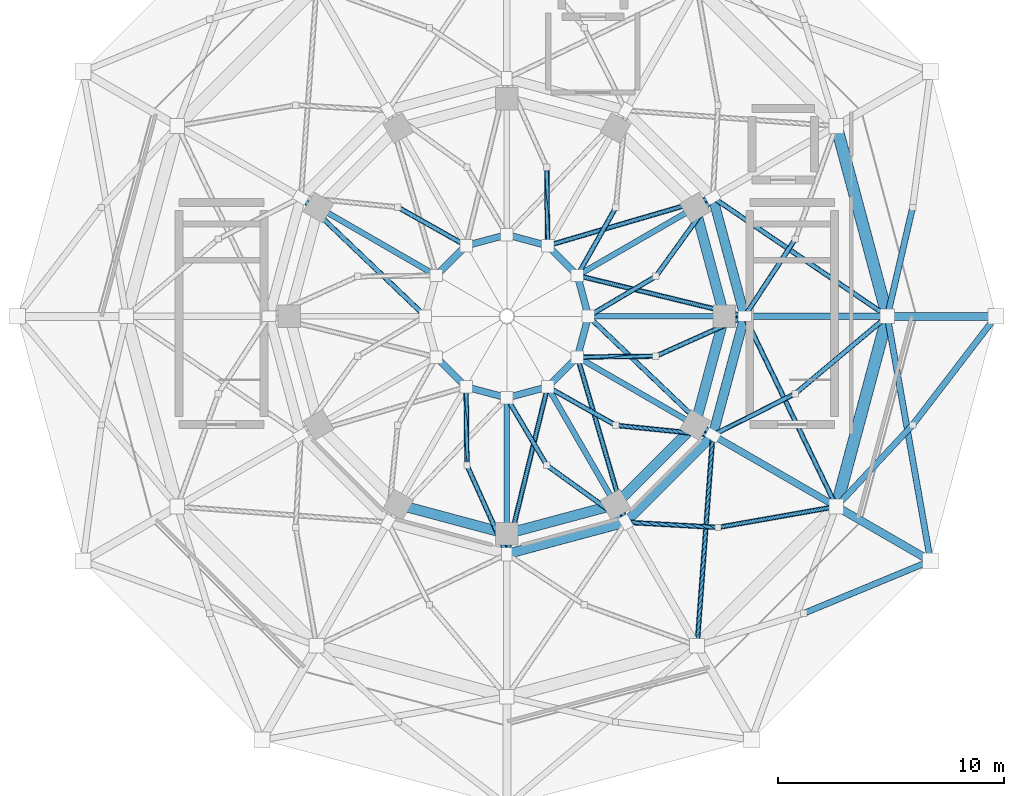
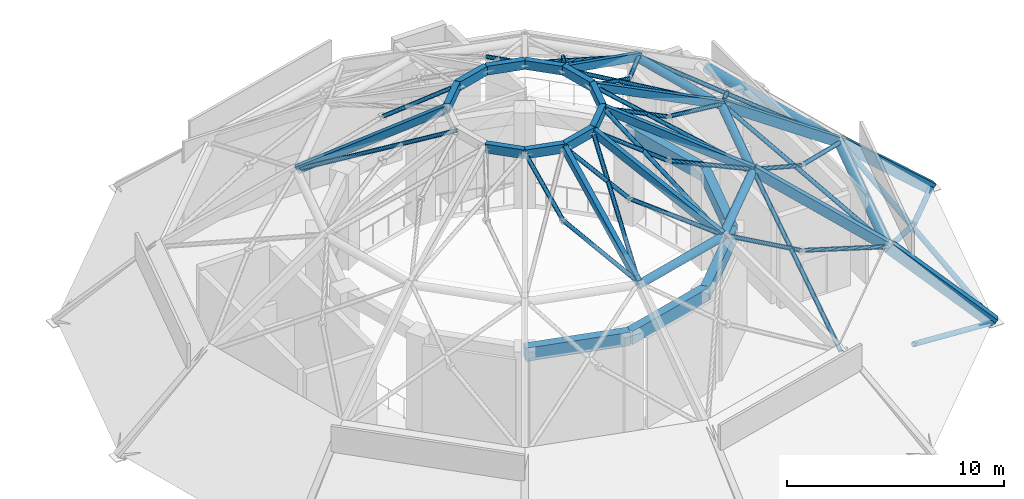
# One storey, part 22 of 32: 48 members, 15 beams.
"""IFC4 building model written with IfcOpenShell, lengths in metres."""

from ifc_helpers import new_model, si_unit, direction, frame, origin, origin_2d, place, context, subcontext, project, spatial, rectangle, hollow_rectangle, hollow_circle, extrude, material, material_profile, profile_set, type_object, element, save


model = new_model("IFC4")

# Units and contexts
model_context = context("Model", 3, precision=1e-05, world=origin(), true_north=direction((0.0, 1.0)))
body_context = subcontext(model_context, "Body", "Model", "MODEL_VIEW")
ifc_project = project(units=[si_unit("LENGTHUNIT", "METRE"), si_unit("AREAUNIT", "SQUARE_METRE"), si_unit("VOLUMEUNIT", "CUBIC_METRE"), si_unit("PLANEANGLEUNIT", "RADIAN"), si_unit("MASSUNIT", "GRAM", prefix="KILO")], contexts=[model_context])

# Site, building, storey
site_placement = place(None, origin())
site = spatial("IfcSite", under=ifc_project, at=site_placement, CompositionType="ELEMENT")
building_placement = place(site_placement, origin())
building = spatial("IfcBuilding", under=site, at=building_placement, Name="Haizhuo Lancet Aquarium", CompositionType="ELEMENT")
storey_placement = place(building_placement, frame((0.0, 0.0, 27.0)))
storey = spatial("IfcBuildingStorey", under=building, at=storey_placement, Name="L05", CompositionType="ELEMENT", Elevation=27.0)

# Beams
ifc_material_1 = material(Name="Steel S355", Category="steel")
ifc_material_profile_1 = material_profile(ifc_material_1, hollow_rectangle(XDim=0.300048828125, YDim=0.5, WallThickness=0.01611328125, at=origin_2d()), Name="RHS 300x500x16")
ifc_profile_set_1 = profile_set([ifc_material_profile_1], Name="Steel S355")
beam_type_1 = type_object("IfcBeamType", Name="BM-CR-RHS300x500", PredefinedType="USERDEFINED", material=ifc_profile_set_1)
beam_1_placement = place(storey_placement, frame((3.60009765625, 0.0, 12.050048828125), z_axis=(-0.258746999554, 0.965945127956, 0.0), x_axis=(-0.965945127956, -0.258746999554, 0.0)))
element("IfcBeam", 1, at=beam_1_placement, inside=storey, type_object=beam_type_1, Name="Ocean Hall dome crown compression ring CR-1 seg 1", ObjectType="RING BEAM", PredefinedType="USERDEFINED", context=body_context, shape_type="SweptSolid", body=[
    extrude(hollow_rectangle(XDim=0.300048828125, YDim=0.5, WallThickness=0.01611328125, at=origin_2d()), origin(), (0.0, 0.0, 1.0), 1.863525390625),
])
beam_2_placement = place(storey_placement, frame((3.117919921875, 1.800048828125, 12.050048828125), z_axis=(-0.707106781187, 0.707106781187, 0.0), x_axis=(-0.707106781187, -0.707106781187, 0.0)))
element("IfcBeam", 2, at=beam_2_placement, inside=storey, type_object=beam_type_1, Name="Ocean Hall dome crown compression ring CR-1 seg 2", ObjectType="RING BEAM", PredefinedType="USERDEFINED", context=body_context, shape_type="SweptSolid", body=[
    extrude(hollow_rectangle(XDim=0.300048828125, YDim=0.5, WallThickness=0.01611328125, at=origin_2d()), origin(), (0.0, 0.0, 1.0), 1.86376953125),
])
for number, where, z_axis, x_axis, name in (
    (3, (1.800048828125, 3.117919921875, 12.050048828125), (-0.965945127956, 0.258746999554, 0.0), (-0.258746999554, -0.965945127956, 0.0), "Ocean Hall dome crown compression ring CR-1 seg 3"),
    (4, (0.0, 3.60009765625, 12.050048828125), (-0.965945127956, -0.258746999554, 0.0), (0.258746999554, -0.965945127956, 0.0), "Ocean Hall dome crown compression ring CR-1 seg 4"),
):
    element("IfcBeam", number, at=place(storey_placement, frame(where, z_axis=z_axis, x_axis=x_axis)), inside=storey, type_object=beam_type_1, Name=name, ObjectType="RING BEAM", PredefinedType="USERDEFINED", context=body_context, shape_type="SweptSolid", body=[
        extrude(hollow_rectangle(XDim=0.300048828125, YDim=0.5, WallThickness=0.01611328125, at=origin_2d()), origin(), (0.0, 0.0, 1.0), 1.863525390625),
    ])
for number, where, z_axis, x_axis, name in (
    (5, (-1.800048828125, 3.117919921875, 12.050048828125), (-0.707106781187, -0.707106781187, 0.0), (0.707106781187, -0.707106781187, 0.0), "Ocean Hall dome crown compression ring CR-1 seg 5"),
    (6, (-3.117919921875, -1.800048828125, 12.050048828125), (0.707106781187, -0.707106781187, 0.0), (0.707106781187, 0.707106781187, 0.0), "Ocean Hall dome crown compression ring CR-1 seg 8"),
):
    element("IfcBeam", number, at=place(storey_placement, frame(where, z_axis=z_axis, x_axis=x_axis)), inside=storey, type_object=beam_type_1, Name=name, ObjectType="RING BEAM", PredefinedType="USERDEFINED", context=body_context, shape_type="SweptSolid", body=[
        extrude(hollow_rectangle(XDim=0.300048828125, YDim=0.5, WallThickness=0.01611328125, at=origin_2d()), origin(), (0.0, 0.0, 1.0), 1.86376953125),
    ])
for number, where, z_axis, x_axis, name in (
    (7, (-1.800048828125, -3.117919921875, 12.050048828125), (0.965945127956, -0.258746999554, 0.0), (0.258746999554, 0.965945127956, 0.0), "Ocean Hall dome crown compression ring CR-1 seg 9"),
    (8, (0.0, -3.60009765625, 12.050048828125), (0.965945127956, 0.258746999554, 0.0), (-0.258746999554, 0.965945127956, 0.0), "Ocean Hall dome crown compression ring CR-1 seg 10"),
):
    element("IfcBeam", number, at=place(storey_placement, frame(where, z_axis=z_axis, x_axis=x_axis)), inside=storey, type_object=beam_type_1, Name=name, ObjectType="RING BEAM", PredefinedType="USERDEFINED", context=body_context, shape_type="SweptSolid", body=[
        extrude(hollow_rectangle(XDim=0.300048828125, YDim=0.5, WallThickness=0.01611328125, at=origin_2d()), origin(), (0.0, 0.0, 1.0), 1.863525390625),
    ])
beam_3_placement = place(storey_placement, frame((1.800048828125, -3.117919921875, 12.050048828125), z_axis=(0.707106781187, 0.707106781187, 0.0), x_axis=(-0.707106781187, 0.707106781187, 0.0)))
element("IfcBeam", 9, at=beam_3_placement, inside=storey, type_object=beam_type_1, Name="Ocean Hall dome crown compression ring CR-1 seg 11", ObjectType="RING BEAM", PredefinedType="USERDEFINED", context=body_context, shape_type="SweptSolid", body=[
    extrude(hollow_rectangle(XDim=0.300048828125, YDim=0.5, WallThickness=0.01611328125, at=origin_2d()), origin(), (0.0, 0.0, 1.0), 1.86376953125),
])
beam_4_placement = place(storey_placement, frame((3.117919921875, -1.800048828125, 12.050048828125), z_axis=(0.258746999554, 0.965945127956, 0.0), x_axis=(-0.965945127956, 0.258746999554, 0.0)))
element("IfcBeam", 10, at=beam_4_placement, inside=storey, type_object=beam_type_1, Name="Ocean Hall dome crown compression ring CR-1 seg 12", ObjectType="RING BEAM", PredefinedType="USERDEFINED", context=body_context, shape_type="SweptSolid", body=[
    extrude(hollow_rectangle(XDim=0.300048828125, YDim=0.5, WallThickness=0.01611328125, at=origin_2d()), origin(), (0.0, 0.0, 1.0), 1.863525390625),
])
ifc_material_2 = material(Name="Concrete C40/50", Category="concrete")
ifc_material_profile_2 = material_profile(ifc_material_2, rectangle(XDim=0.449951171875, YDim=0.75, at=origin_2d()), Name="RC-BM 450x750")
ifc_profile_set_2 = profile_set([ifc_material_profile_2], Name="Concrete C40/50")
beam_type_2 = type_object("IfcBeamType", Name="BM-RC-450x750", PredefinedType="BEAM", material=ifc_profile_set_2)
for number, where, z_axis, x_axis, name in (
    (11, (9.60009765625, 0.0, 5.02490234375), (-0.258812211902, 0.965927657214, 0.0), (-0.965927657214, -0.258812211902, 0.0), "L05 inner observation ring beam 1"),
    (12, (-4.800048828125, -8.31396484375, 5.02490234375), (0.965927657214, -0.258812211902, 0.0), (0.258812211902, 0.965927657214, 0.0), "L05 inner observation ring beam 9"),
    (13, (0.0, -9.60009765625, 5.02490234375), (0.965927657214, 0.258812211902, 0.0), (-0.258812211902, 0.965927657214, 0.0), "L05 inner observation ring beam 10"),
    (14, (4.800048828125, -8.31396484375, 5.02490234375), (0.707106781187, 0.707106781187, 0.0), (-0.707106781187, 0.707106781187, 0.0), "L05 inner observation ring beam 11"),
    (15, (8.31396484375, -4.800048828125, 5.02490234375), (0.258812211902, 0.965927657214, 0.0), (-0.965927657214, 0.258812211902, 0.0), "L05 inner observation ring beam 12"),
):
    element("IfcBeam", number, at=place(storey_placement, frame(where, z_axis=z_axis, x_axis=x_axis)), inside=storey, type_object=beam_type_2, Name=name, PredefinedType="BEAM", context=body_context, shape_type="SweptSolid", body=[
        extrude(rectangle(XDim=0.449951171875, YDim=0.75, at=origin_2d()), origin(), (0.0, 0.0, 1.0), 4.969482421875),
    ])

# Members
ifc_material_profile_3 = material_profile(ifc_material_1, hollow_circle(Radius=0.109619140625, WallThickness=0.010009765625, at=origin_2d()), Name="CHS 219x10")
ifc_profile_set_3 = profile_set([ifc_material_profile_3], Name="Steel S355")
member_type_1 = type_object("IfcMemberType", Name="MEM-DB-CHS219", PredefinedType="BRACE", material=ifc_profile_set_3)
member_1_placement = place(storey_placement, frame((16.800048828125, 0.0, 4.25), z_axis=(-0.748982344734, 0.510203888152, 0.422749854868), x_axis=(-0.562985829353, -0.826466548596, 0.0)))
element("IfcMember", 16, at=member_1_placement, inside=storey, type_object=member_type_1, Name="Ocean Hall dome continuous diagonal brace A tier 2 bay 1", PredefinedType="BRACE", context=body_context, shape_type="SweptSolid", body=[
    extrude(hollow_circle(Radius=0.109619140625, WallThickness=0.010009765625, at=origin_2d()), origin(), (0.0, 0.0, 1.0), 10.2900390625),
])
member_2_placement = place(storey_placement, frame((12.736083984375, 3.4130859375, 6.425048828125), z_axis=(-0.483597007113, -0.738146758319, 0.470396957787), x_axis=(0.836469641538, -0.548013265154, 0.0)))
element("IfcMember", 17, at=member_2_placement, inside=storey, type_object=member_type_1, Name="Ocean Hall dome split diagonal brace B2 tier 2 bay 1", PredefinedType="BRACE", context=body_context, shape_type="SweptSolid", body=[
    extrude(hollow_circle(Radius=0.109619140625, WallThickness=0.010009765625, at=origin_2d()), origin(), (0.0, 0.0, 1.0), 4.623779296875),
])
member_3_placement = place(storey_placement, frame((8.39990234375, -14.549072265625, 4.25), z_axis=(0.067360553885, 0.903732348339, 0.422765181094), x_axis=(-0.997233716656, 0.074329767691, 0.0)))
element("IfcMember", 18, at=member_3_placement, inside=storey, type_object=member_type_1, Name="Ocean Hall dome continuous diagonal brace A tier 2 bay 11", PredefinedType="BRACE", context=body_context, shape_type="SweptSolid", body=[
    extrude(hollow_circle(Radius=0.109619140625, WallThickness=0.010009765625, at=origin_2d()), origin(), (0.0, 0.0, 1.0), 10.28955078125),
])
member_4_placement = place(storey_placement, frame((14.549072265625, -8.39990234375, 4.25), z_axis=(-0.911196372611, -0.160947093564, 0.379232387349), x_axis=(0.173940169878, -0.984756222272, 0.0)))
element("IfcMember", 19, at=member_4_placement, inside=storey, type_object=member_type_1, Name="Ocean Hall dome split diagonal brace B1 tier 2 bay 11", PredefinedType="BRACE", context=body_context, shape_type="SweptSolid", body=[
    extrude(hollow_circle(Radius=0.109619140625, WallThickness=0.010009765625, at=origin_2d()), origin(), (0.0, 0.0, 1.0), 5.7353515625),
])
member_5_placement = place(storey_placement, frame((9.322998046875, -9.322998046875, 6.425048828125), z_axis=(-0.88101040422, 0.049745957009, 0.47047423672), x_axis=(-0.056374867325, -0.998409672596, 0.0)))
element("IfcMember", 20, at=member_5_placement, inside=storey, type_object=member_type_1, Name="Ocean Hall dome split diagonal brace B2 tier 2 bay 11", PredefinedType="BRACE", context=body_context, shape_type="SweptSolid", body=[
    extrude(hollow_circle(Radius=0.109619140625, WallThickness=0.010009765625, at=origin_2d()), origin(), (0.0, 0.0, 1.0), 4.623046875),
])
member_6_placement = place(storey_placement, frame((14.549072265625, -8.39990234375, 4.25), z_axis=(-0.393509606878, 0.816345585423, 0.422764798032), x_axis=(-0.900805623694, -0.43422255621, 0.0)))
element("IfcMember", 21, at=member_6_placement, inside=storey, type_object=member_type_1, Name="Ocean Hall dome continuous diagonal brace A tier 2 bay 12", PredefinedType="BRACE", context=body_context, shape_type="SweptSolid", body=[
    extrude(hollow_circle(Radius=0.109619140625, WallThickness=0.010009765625, at=origin_2d()), origin(), (0.0, 0.0, 1.0), 10.28955078125),
])
member_7_placement = place(storey_placement, frame((16.800048828125, 0.0, 4.25), z_axis=(-0.708564996995, -0.595082221434, 0.379226574446), x_axis=(0.643120878366, -0.765764673911, 0.0)))
element("IfcMember", 22, at=member_7_placement, inside=storey, type_object=member_type_1, Name="Ocean Hall dome split diagonal brace B1 tier 2 bay 12", PredefinedType="BRACE", context=body_context, shape_type="SweptSolid", body=[
    extrude(hollow_circle(Radius=0.109619140625, WallThickness=0.010009765625, at=origin_2d()), origin(), (0.0, 0.0, 1.0), 5.735595703125),
])
member_8_placement = place(storey_placement, frame((12.736083984375, -3.4130859375, 6.425048828125), z_axis=(-0.787940584289, -0.397296941174, 0.470430415858), x_axis=(0.450226927379, -0.892914169371, 0.0)))
element("IfcMember", 23, at=member_8_placement, inside=storey, type_object=member_type_1, Name="Ocean Hall dome split diagonal brace B2 tier 2 bay 12", PredefinedType="BRACE", context=body_context, shape_type="SweptSolid", body=[
    extrude(hollow_circle(Radius=0.109619140625, WallThickness=0.010009765625, at=origin_2d()), origin(), (0.0, 0.0, 1.0), 4.62353515625),
])
member_9_placement = place(storey_placement, frame((10.5, 0.0, 8.60009765625), z_axis=(-0.884621188184, 0.215706320749, 0.413420048624), x_axis=(-0.236899225018, -0.97153422852, 0.0)))
element("IfcMember", 24, at=member_9_placement, inside=storey, type_object=member_type_1, Name="Ocean Hall dome continuous diagonal brace A tier 3 bay 1", PredefinedType="BRACE", context=body_context, shape_type="SweptSolid", body=[
    extrude(hollow_circle(Radius=0.109619140625, WallThickness=0.010009765625, at=origin_2d()), origin(), (0.0, 0.0, 1.0), 8.344970703125),
])
member_10_placement = place(storey_placement, frame((9.093017578125, 5.25, 8.60009765625), z_axis=(-0.542839593795, -0.752819770584, 0.372273512926), x_axis=(0.811120632133, -0.584878893556, 0.0)))
element("IfcMember", 25, at=member_10_placement, inside=storey, type_object=member_type_1, Name="Ocean Hall dome split diagonal brace B1 tier 3 bay 1", PredefinedType="BRACE", context=body_context, shape_type="SweptSolid", body=[
    extrude(hollow_circle(Radius=0.109619140625, WallThickness=0.010009765625, at=origin_2d()), origin(), (0.0, 0.0, 1.0), 4.63330078125),
])
member_11_placement = place(storey_placement, frame((6.577880859375, 1.761962890625, 10.324951171875), z_axis=(-0.770205037634, -0.455732537231, 0.446197326877), x_axis=(0.509235574509, -0.860627172273, 0.0)))
element("IfcMember", 26, at=member_11_placement, inside=storey, type_object=member_type_1, Name="Ocean Hall dome split diagonal brace B2 tier 3 bay 1", PredefinedType="BRACE", context=body_context, shape_type="SweptSolid", body=[
    extrude(hollow_circle(Radius=0.109619140625, WallThickness=0.010009765625, at=origin_2d()), origin(), (0.0, 0.0, 1.0), 3.8662109375),
])
member_12_placement = place(storey_placement, frame((9.093017578125, 5.25, 8.60009765625), z_axis=(-0.87395598208, -0.255498714231, 0.41342635186), x_axis=(0.28060205853, -0.959824194709, 0.0)))
element("IfcMember", 27, at=member_12_placement, inside=storey, type_object=member_type_1, Name="Ocean Hall dome continuous diagonal brace A tier 3 bay 2", PredefinedType="BRACE", context=body_context, shape_type="SweptSolid", body=[
    extrude(hollow_circle(Radius=0.109619140625, WallThickness=0.010009765625, at=origin_2d()), origin(), (0.0, 0.0, 1.0), 8.3447265625),
])
member_13_placement = place(storey_placement, frame((4.81494140625, 4.81494140625, 10.324951171875), z_axis=(-0.438968404685, -0.779862009705, 0.446230865704), x_axis=(0.871434157136, -0.490512497065, 0.0)))
element("IfcMember", 28, at=member_13_placement, inside=storey, type_object=member_type_1, Name="Ocean Hall dome split diagonal brace B2 tier 3 bay 2", PredefinedType="BRACE", context=body_context, shape_type="SweptSolid", body=[
    extrude(hollow_circle(Radius=0.109619140625, WallThickness=0.010009765625, at=origin_2d()), origin(), (0.0, 0.0, 1.0), 3.865966796875),
])
member_14_placement = place(storey_placement, frame((1.761962890625, 6.577880859375, 10.324951171875), z_axis=(0.009850591852, -0.894888382869, 0.446181295043), x_axis=(0.999939421649, 0.011006953837, 0.0)))
element("IfcMember", 29, at=member_14_placement, inside=storey, type_object=member_type_1, Name="Ocean Hall dome split diagonal brace B2 tier 3 bay 3", PredefinedType="BRACE", context=body_context, shape_type="SweptSolid", body=[
    extrude(hollow_circle(Radius=0.109619140625, WallThickness=0.010009765625, at=origin_2d()), origin(), (0.0, 0.0, 1.0), 3.866455078125),
])
member_15_placement = place(storey_placement, frame((-4.81494140625, 4.81494140625, 10.324951171875), z_axis=(0.779862009705, -0.438968404685, 0.446230865704), x_axis=(0.490512497065, 0.871434157136, 0.0)))
element("IfcMember", 30, at=member_15_placement, inside=storey, type_object=member_type_1, Name="Ocean Hall dome split diagonal brace B2 tier 3 bay 5", PredefinedType="BRACE", context=body_context, shape_type="SweptSolid", body=[
    extrude(hollow_circle(Radius=0.109619140625, WallThickness=0.010009765625, at=origin_2d()), origin(), (0.0, 0.0, 1.0), 3.865966796875),
])
member_16_placement = place(storey_placement, frame((-9.093017578125, 5.25, 8.60009765625), z_axis=(0.658239232898, -0.629129137483, 0.413421867642), x_axis=(0.690940996887, 0.722911155551, 0.0)))
element("IfcMember", 31, at=member_16_placement, inside=storey, type_object=member_type_1, Name="Ocean Hall dome continuous diagonal brace A tier 3 bay 6", PredefinedType="BRACE", context=body_context, shape_type="SweptSolid", body=[
    extrude(hollow_circle(Radius=0.109619140625, WallThickness=0.010009765625, at=origin_2d()), origin(), (0.0, 0.0, 1.0), 8.344970703125),
])
member_17_placement = place(storey_placement, frame((0.0, -10.5, 8.60009765625), z_axis=(-0.380325172694, 0.846601621079, 0.372314998626), x_axis=(-0.912181615693, -0.409786163738, 0.0)))
element("IfcMember", 32, at=member_17_placement, inside=storey, type_object=member_type_1, Name="Ocean Hall dome split diagonal brace B1 tier 3 bay 9", PredefinedType="BRACE", context=body_context, shape_type="SweptSolid", body=[
    extrude(hollow_circle(Radius=0.109619140625, WallThickness=0.010009765625, at=origin_2d()), origin(), (0.0, 0.0, 1.0), 4.6328125),
])
member_18_placement = place(storey_placement, frame((-1.761962890625, -6.577880859375, 10.324951171875), z_axis=(-0.009850591852, 0.894888382869, 0.446181295043), x_axis=(-0.999939421649, -0.011006953837, 0.0)))
element("IfcMember", 33, at=member_18_placement, inside=storey, type_object=member_type_1, Name="Ocean Hall dome split diagonal brace B2 tier 3 bay 9", PredefinedType="BRACE", context=body_context, shape_type="SweptSolid", body=[
    extrude(hollow_circle(Radius=0.109619140625, WallThickness=0.010009765625, at=origin_2d()), origin(), (0.0, 0.0, 1.0), 3.866455078125),
])
member_19_placement = place(storey_placement, frame((0.0, -10.5, 8.60009765625), z_axis=(0.215706320749, 0.884621188184, 0.413420048624), x_axis=(-0.97153422852, 0.236899225018, 0.0)))
element("IfcMember", 34, at=member_19_placement, inside=storey, type_object=member_type_1, Name="Ocean Hall dome continuous diagonal brace A tier 3 bay 10", PredefinedType="BRACE", context=body_context, shape_type="SweptSolid", body=[
    extrude(hollow_circle(Radius=0.109619140625, WallThickness=0.010009765625, at=origin_2d()), origin(), (0.0, 0.0, 1.0), 8.344970703125),
])
member_20_placement = place(storey_placement, frame((5.25, -9.093017578125, 8.60009765625), z_axis=(-0.752819770584, 0.542839593795, 0.372273512926), x_axis=(-0.584878893556, -0.811120632133, 0.0)))
element("IfcMember", 35, at=member_20_placement, inside=storey, type_object=member_type_1, Name="Ocean Hall dome split diagonal brace B1 tier 3 bay 10", PredefinedType="BRACE", context=body_context, shape_type="SweptSolid", body=[
    extrude(hollow_circle(Radius=0.109619140625, WallThickness=0.010009765625, at=origin_2d()), origin(), (0.0, 0.0, 1.0), 4.63330078125),
])
member_21_placement = place(storey_placement, frame((1.761962890625, -6.577880859375, 10.324951171875), z_axis=(-0.455732537231, 0.770205037634, 0.446197326877), x_axis=(-0.860627172273, -0.509235574509, 0.0)))
element("IfcMember", 36, at=member_21_placement, inside=storey, type_object=member_type_1, Name="Ocean Hall dome split diagonal brace B2 tier 3 bay 10", PredefinedType="BRACE", context=body_context, shape_type="SweptSolid", body=[
    extrude(hollow_circle(Radius=0.109619140625, WallThickness=0.010009765625, at=origin_2d()), origin(), (0.0, 0.0, 1.0), 3.8662109375),
])
member_22_placement = place(storey_placement, frame((5.25, -9.093017578125, 8.60009765625), z_axis=(-0.255498714231, 0.87395598208, 0.41342635186), x_axis=(-0.959824194709, -0.28060205853, 0.0)))
element("IfcMember", 37, at=member_22_placement, inside=storey, type_object=member_type_1, Name="Ocean Hall dome continuous diagonal brace A tier 3 bay 11", PredefinedType="BRACE", context=body_context, shape_type="SweptSolid", body=[
    extrude(hollow_circle(Radius=0.109619140625, WallThickness=0.010009765625, at=origin_2d()), origin(), (0.0, 0.0, 1.0), 8.3447265625),
])
member_23_placement = place(storey_placement, frame((9.093017578125, -5.25, 8.60009765625), z_axis=(-0.923356899106, 0.093900701604, 0.372283084642), x_axis=(-0.101173102097, -0.994868837291, 0.0)))
element("IfcMember", 38, at=member_23_placement, inside=storey, type_object=member_type_1, Name="Ocean Hall dome split diagonal brace B1 tier 3 bay 11", PredefinedType="BRACE", context=body_context, shape_type="SweptSolid", body=[
    extrude(hollow_circle(Radius=0.109619140625, WallThickness=0.010009765625, at=origin_2d()), origin(), (0.0, 0.0, 1.0), 4.633056640625),
])
member_24_placement = place(storey_placement, frame((4.81494140625, -4.81494140625, 10.324951171875), z_axis=(-0.779862009705, 0.438968404685, 0.446230865704), x_axis=(-0.490512497065, -0.871434157136, 0.0)))
element("IfcMember", 39, at=member_24_placement, inside=storey, type_object=member_type_1, Name="Ocean Hall dome split diagonal brace B2 tier 3 bay 11", PredefinedType="BRACE", context=body_context, shape_type="SweptSolid", body=[
    extrude(hollow_circle(Radius=0.109619140625, WallThickness=0.010009765625, at=origin_2d()), origin(), (0.0, 0.0, 1.0), 3.865966796875),
])
member_25_placement = place(storey_placement, frame((9.093017578125, -5.25, 8.60009765625), z_axis=(-0.658239232898, 0.629129137483, 0.413421867642), x_axis=(-0.690940996887, -0.722911155551, 0.0)))
element("IfcMember", 40, at=member_25_placement, inside=storey, type_object=member_type_1, Name="Ocean Hall dome continuous diagonal brace A tier 3 bay 12", PredefinedType="BRACE", context=body_context, shape_type="SweptSolid", body=[
    extrude(hollow_circle(Radius=0.109619140625, WallThickness=0.010009765625, at=origin_2d()), origin(), (0.0, 0.0, 1.0), 8.344970703125),
])
member_26_placement = place(storey_placement, frame((10.5, 0.0, 8.60009765625), z_axis=(-0.846601621079, -0.380325172694, 0.372314998626), x_axis=(0.409786163738, -0.912181615693, 0.0)))
element("IfcMember", 41, at=member_26_placement, inside=storey, type_object=member_type_1, Name="Ocean Hall dome split diagonal brace B1 tier 3 bay 12", PredefinedType="BRACE", context=body_context, shape_type="SweptSolid", body=[
    extrude(hollow_circle(Radius=0.109619140625, WallThickness=0.010009765625, at=origin_2d()), origin(), (0.0, 0.0, 1.0), 4.6328125),
])
member_27_placement = place(storey_placement, frame((6.577880859375, -1.761962890625, 10.324951171875), z_axis=(-0.894888382869, -0.009850591852, 0.446181295043), x_axis=(0.011006953837, -0.999939421649, 0.0)))
element("IfcMember", 42, at=member_27_placement, inside=storey, type_object=member_type_1, Name="Ocean Hall dome split diagonal brace B2 tier 3 bay 12", PredefinedType="BRACE", context=body_context, shape_type="SweptSolid", body=[
    extrude(hollow_circle(Radius=0.109619140625, WallThickness=0.010009765625, at=origin_2d()), origin(), (0.0, 0.0, 1.0), 3.866455078125),
])
ifc_material_profile_4 = material_profile(ifc_material_1, hollow_circle(Radius=0.136474609375, WallThickness=0.011962890625, at=origin_2d()), Name="CHS 273x12")
ifc_profile_set_4 = profile_set([ifc_material_profile_4], Name="Steel S355")
member_type_2 = type_object("IfcMemberType", Name="MEM-DB-CHS273", PredefinedType="BRACE", material=ifc_profile_set_4)
member_28_placement = place(storey_placement, frame((17.9140625, 4.800048828125, 2.125), z_axis=(-0.207594570733, -0.894481011437, 0.395990169551), x_axis=(0.974109866118, -0.226075139571, 0.0)))
element("IfcMember", 43, at=member_28_placement, inside=storey, type_object=member_type_2, Name="Ocean Hall dome split diagonal brace B2 tier 1 bay 1", PredefinedType="BRACE", context=body_context, shape_type="SweptSolid", body=[
    extrude(hollow_circle(Radius=0.136474609375, WallThickness=0.011962890625, at=origin_2d()), origin(), (0.0, 0.0, 1.0), 5.3662109375),
])
member_29_placement = place(storey_placement, frame((18.7060546875, -10.800048828125, 0.0), z_axis=(-0.871832443665, -0.360760877584, 0.33130013489), x_axis=(0.382354168148, -0.924015849485, 0.0)))
element("IfcMember", 44, at=member_29_placement, inside=storey, type_object=member_type_2, Name="Ocean Hall dome split diagonal brace B1 tier 1 bay 11", PredefinedType="BRACE", context=body_context, shape_type="SweptSolid", body=[
    extrude(hollow_circle(Radius=0.136474609375, WallThickness=0.011962890625, at=origin_2d()), origin(), (0.0, 0.0, 1.0), 6.4140625),
])
member_30_placement = place(storey_placement, frame((18.7060546875, -10.800048828125, 0.0), z_axis=(-0.162052589858, 0.918242656278, 0.361343856059), x_axis=(-0.984781765893, -0.173795493508, 0.0)))
element("IfcMember", 45, at=member_30_placement, inside=storey, type_object=member_type_2, Name="Ocean Hall dome continuous diagonal brace A tier 1 bay 12", PredefinedType="BRACE", context=body_context, shape_type="SweptSolid", body=[
    extrude(hollow_circle(Radius=0.136474609375, WallThickness=0.011962890625, at=origin_2d()), origin(), (0.0, 0.0, 1.0), 11.76171875),
])
member_31_placement = place(storey_placement, frame((21.60009765625, 0.0, 0.0), z_axis=(-0.574661053611, -0.74833825507, 0.331292211593), x_axis=(0.793127595343, -0.609055512664, 0.0)))
element("IfcMember", 46, at=member_31_placement, inside=storey, type_object=member_type_2, Name="Ocean Hall dome split diagonal brace B1 tier 1 bay 12", PredefinedType="BRACE", context=body_context, shape_type="SweptSolid", body=[
    extrude(hollow_circle(Radius=0.136474609375, WallThickness=0.011962890625, at=origin_2d()), origin(), (0.0, 0.0, 1.0), 6.414306640625),
])
member_32_placement = place(storey_placement, frame((17.9140625, -4.800048828125, 2.125), z_axis=(-0.627053625701, -0.670819539357, 0.395985979692), x_axis=(0.730536073471, -0.682874106521, 0.0)))
element("IfcMember", 47, at=member_32_placement, inside=storey, type_object=member_type_2, Name="Ocean Hall dome split diagonal brace B2 tier 1 bay 12", PredefinedType="BRACE", context=body_context, shape_type="SweptSolid", body=[
    extrude(hollow_circle(Radius=0.136474609375, WallThickness=0.011962890625, at=origin_2d()), origin(), (0.0, 0.0, 1.0), 5.366455078125),
])
ifc_material_profile_5 = material_profile(ifc_material_1, hollow_rectangle(XDim=0.25, YDim=0.39990234375, WallThickness=0.013916015625, at=origin_2d()), Name="RHS 250x400x14")
ifc_profile_set_5 = profile_set([ifc_material_profile_5], Name="Steel S355")
member_type_3 = type_object("IfcMemberType", Name="MEM-DR-RHS250x400", PredefinedType="USERDEFINED", material=ifc_profile_set_5)
member_33_placement = place(storey_placement, frame((10.5, 0.0, 8.60009765625), z_axis=(-0.894427191, 0.0, 0.4472135955), x_axis=(0.0, -1.0, 0.0)))
element("IfcMember", 48, at=member_33_placement, inside=storey, type_object=member_type_3, Name="Ocean Hall dome arch rib DR-3 bay 1", ObjectType="ARCH_SEGMENT", PredefinedType="USERDEFINED", context=body_context, shape_type="SweptSolid", body=[
    extrude(hollow_rectangle(XDim=0.25, YDim=0.39990234375, WallThickness=0.013916015625, at=origin_2d()), origin(), (0.0, 0.0, 1.0), 7.71435546875),
])
for number, where, z_axis, x_axis, name in (
    (49, (9.093017578125, 5.25, 8.60009765625), (-0.774576287403, -0.44723124611, 0.44723124611), (0.500024667842, -0.866011161331, 0.0), "Ocean Hall dome arch rib DR-3 bay 2"),
    (50, (-9.093017578125, 5.25, 8.60009765625), (0.774576287403, -0.44723124611, 0.44723124611), (0.500024667842, 0.866011161331, 0.0), "Ocean Hall dome arch rib DR-3 bay 6"),
):
    element("IfcMember", number, at=place(storey_placement, frame(where, z_axis=z_axis, x_axis=x_axis)), inside=storey, type_object=member_type_3, Name=name, ObjectType="ARCH_SEGMENT", PredefinedType="USERDEFINED", context=body_context, shape_type="SweptSolid", body=[
        extrude(hollow_rectangle(XDim=0.25, YDim=0.39990234375, WallThickness=0.013916015625, at=origin_2d()), origin(), (0.0, 0.0, 1.0), 7.714111328125),
    ])
member_34_placement = place(storey_placement, frame((0.0, -10.5, 8.60009765625), z_axis=(0.0, 0.894427191, 0.4472135955), x_axis=(-1.0, 0.0, 0.0)))
element("IfcMember", 51, at=member_34_placement, inside=storey, type_object=member_type_3, Name="Ocean Hall dome arch rib DR-3 bay 10", ObjectType="ARCH_SEGMENT", PredefinedType="USERDEFINED", context=body_context, shape_type="SweptSolid", body=[
    extrude(hollow_rectangle(XDim=0.25, YDim=0.39990234375, WallThickness=0.013916015625, at=origin_2d()), origin(), (0.0, 0.0, 1.0), 7.71435546875),
])
for number, where, z_axis, x_axis, name in (
    (52, (5.25, -9.093017578125, 8.60009765625), (-0.44723124611, 0.774576287403, 0.44723124611), (-0.866011161331, -0.500024667842, 0.0), "Ocean Hall dome arch rib DR-3 bay 11"),
    (53, (9.093017578125, -5.25, 8.60009765625), (-0.774576287403, 0.44723124611, 0.44723124611), (-0.500024667842, -0.866011161331, 0.0), "Ocean Hall dome arch rib DR-3 bay 12"),
):
    element("IfcMember", number, at=place(storey_placement, frame(where, z_axis=z_axis, x_axis=x_axis)), inside=storey, type_object=member_type_3, Name=name, ObjectType="ARCH_SEGMENT", PredefinedType="USERDEFINED", context=body_context, shape_type="SweptSolid", body=[
        extrude(hollow_rectangle(XDim=0.25, YDim=0.39990234375, WallThickness=0.013916015625, at=origin_2d()), origin(), (0.0, 0.0, 1.0), 7.714111328125),
    ])
ifc_material_profile_6 = material_profile(ifc_material_1, hollow_rectangle(XDim=0.300048828125, YDim=0.5, WallThickness=0.01611328125, at=origin_2d()), Name="RHS 300x500x16")
ifc_profile_set_6 = profile_set([ifc_material_profile_6], Name="Steel S355")
member_type_4 = type_object("IfcMemberType", Name="MEM-DR-RHS300x500", PredefinedType="USERDEFINED", material=ifc_profile_set_6)
for number, where, z_axis, x_axis, name in (
    (54, (16.800048828125, 0.0, 4.25), (-0.82289299557, 0.0, 0.568196372605), (0.0, -1.0, 0.0), "Ocean Hall dome arch rib DR-2 bay 1"),
    (55, (14.549072265625, -8.39990234375, 4.25), (-0.712654279419, 0.411431247229, 0.568197330889), (-0.499981869177, -0.866035871367, 0.0), "Ocean Hall dome arch rib DR-2 bay 12"),
):
    element("IfcMember", number, at=place(storey_placement, frame(where, z_axis=z_axis, x_axis=x_axis)), inside=storey, type_object=member_type_4, Name=name, ObjectType="ARCH_SEGMENT", PredefinedType="USERDEFINED", context=body_context, shape_type="SweptSolid", body=[
        extrude(hollow_rectangle(XDim=0.300048828125, YDim=0.5, WallThickness=0.01611328125, at=origin_2d()), origin(), (0.0, 0.0, 1.0), 7.656005859375),
    ])
ifc_material_profile_7 = material_profile(ifc_material_1, hollow_rectangle(XDim=0.35009765625, YDim=0.60009765625, WallThickness=0.02001953125, at=origin_2d()), Name="RHS 350x600x20")
ifc_profile_set_7 = profile_set([ifc_material_profile_7], Name="Steel S355")
member_type_5 = type_object("IfcMemberType", Name="MEM-DR-RHS350x600", PredefinedType="USERDEFINED", material=ifc_profile_set_7)
for number, where, z_axis, x_axis, name in (
    (56, (21.60009765625, 0.0, 0.0), (-0.74870211469, 0.0, 0.66290658728), (0.0, -1.0, 0.0), "Ocean Hall dome arch rib DR-1 bay 1"),
    (57, (18.7060546875, -10.800048828125, 0.0), (-0.648392074602, 0.374366740202, 0.662900642196), (-0.500017431331, -0.866015339567, 0.0), "Ocean Hall dome arch rib DR-1 bay 12"),
):
    element("IfcMember", number, at=place(storey_placement, frame(where, z_axis=z_axis, x_axis=x_axis)), inside=storey, type_object=member_type_5, Name=name, ObjectType="ARCH_SEGMENT", PredefinedType="USERDEFINED", context=body_context, shape_type="SweptSolid", body=[
        extrude(hollow_rectangle(XDim=0.35009765625, YDim=0.60009765625, WallThickness=0.02001953125, at=origin_2d()), origin(), (0.0, 0.0, 1.0), 6.4111328125),
    ])
ifc_material_profile_8 = material_profile(ifc_material_1, hollow_circle(Radius=0.212890625, WallThickness=0.01611328125, at=origin_2d()), Name="CHS 426x16")
ifc_profile_set_8 = profile_set([ifc_material_profile_8], Name="Steel S355")
member_type_6 = type_object("IfcMemberType", Name="MEM-PR-CHS426", PredefinedType="PURLIN", material=ifc_profile_set_8)
for number, where, z_axis, x_axis, name in (
    (58, (10.5, 0.0, 8.47998046875), (-0.258861815711, 0.965914364924, 0.0), (-0.965914364924, -0.258861815711, 0.0), "Ocean Hall dome hoop purlin ring R2 seg 1"),
    (59, (0.0, -10.5, 8.47998046875), (0.965914364924, 0.258861815711, 0.0), (-0.258861815711, 0.965914364924, 0.0), "Ocean Hall dome hoop purlin ring R2 seg 10"),
):
    element("IfcMember", number, at=place(storey_placement, frame(where, z_axis=z_axis, x_axis=x_axis)), inside=storey, type_object=member_type_6, Name=name, PredefinedType="PURLIN", context=body_context, shape_type="SweptSolid", body=[
        extrude(hollow_circle(Radius=0.212890625, WallThickness=0.01611328125, at=origin_2d()), origin(), (0.0, 0.0, 1.0), 5.435302734375),
    ])
member_35_placement = place(storey_placement, frame((5.25, -9.093017578125, 8.47998046875), z_axis=(0.707106781187, 0.707106781187, 0.0), x_axis=(-0.707106781187, 0.707106781187, 0.0)))
element("IfcMember", 60, at=member_35_placement, inside=storey, type_object=member_type_6, Name="Ocean Hall dome hoop purlin ring R2 seg 11", PredefinedType="PURLIN", context=body_context, shape_type="SweptSolid", body=[
    extrude(hollow_circle(Radius=0.212890625, WallThickness=0.01611328125, at=origin_2d()), origin(), (0.0, 0.0, 1.0), 5.434814453125),
])
member_36_placement = place(storey_placement, frame((9.093017578125, -5.25, 8.47998046875), z_axis=(0.258861815711, 0.965914364924, 0.0), x_axis=(-0.965914364924, 0.258861815711, 0.0)))
element("IfcMember", 61, at=member_36_placement, inside=storey, type_object=member_type_6, Name="Ocean Hall dome hoop purlin ring R2 seg 12", PredefinedType="PURLIN", context=body_context, shape_type="SweptSolid", body=[
    extrude(hollow_circle(Radius=0.212890625, WallThickness=0.01611328125, at=origin_2d()), origin(), (0.0, 0.0, 1.0), 5.435302734375),
])
ifc_material_profile_9 = material_profile(ifc_material_1, hollow_circle(Radius=0.264892578125, WallThickness=0.02001953125, at=origin_2d()), Name="CHS 530x20")
ifc_profile_set_9 = profile_set([ifc_material_profile_9], Name="Steel S355")
member_type_7 = type_object("IfcMemberType", Name="MEM-PR-CHS530", PredefinedType="PURLIN", material=ifc_profile_set_9)
for number, where, z_axis, x_axis, name in (
    (62, (16.800048828125, 0.0, 4.1298828125), (-0.258843669177, 0.965919227952, 0.0), (-0.965919227952, -0.258843669177, 0.0), "Ocean Hall dome hoop purlin ring R1 seg 1"),
    (63, (14.549072265625, -8.39990234375, 4.1298828125), (0.258843669177, 0.965919227952, 0.0), (-0.965919227952, 0.258843669177, 0.0), "Ocean Hall dome hoop purlin ring R1 seg 12"),
):
    element("IfcMember", number, at=place(storey_placement, frame(where, z_axis=z_axis, x_axis=x_axis)), inside=storey, type_object=member_type_7, Name=name, PredefinedType="PURLIN", context=body_context, shape_type="SweptSolid", body=[
        extrude(hollow_circle(Radius=0.264892578125, WallThickness=0.02001953125, at=origin_2d()), origin(), (0.0, 0.0, 1.0), 8.6962890625),
    ])

save(model, "model.ifc")
